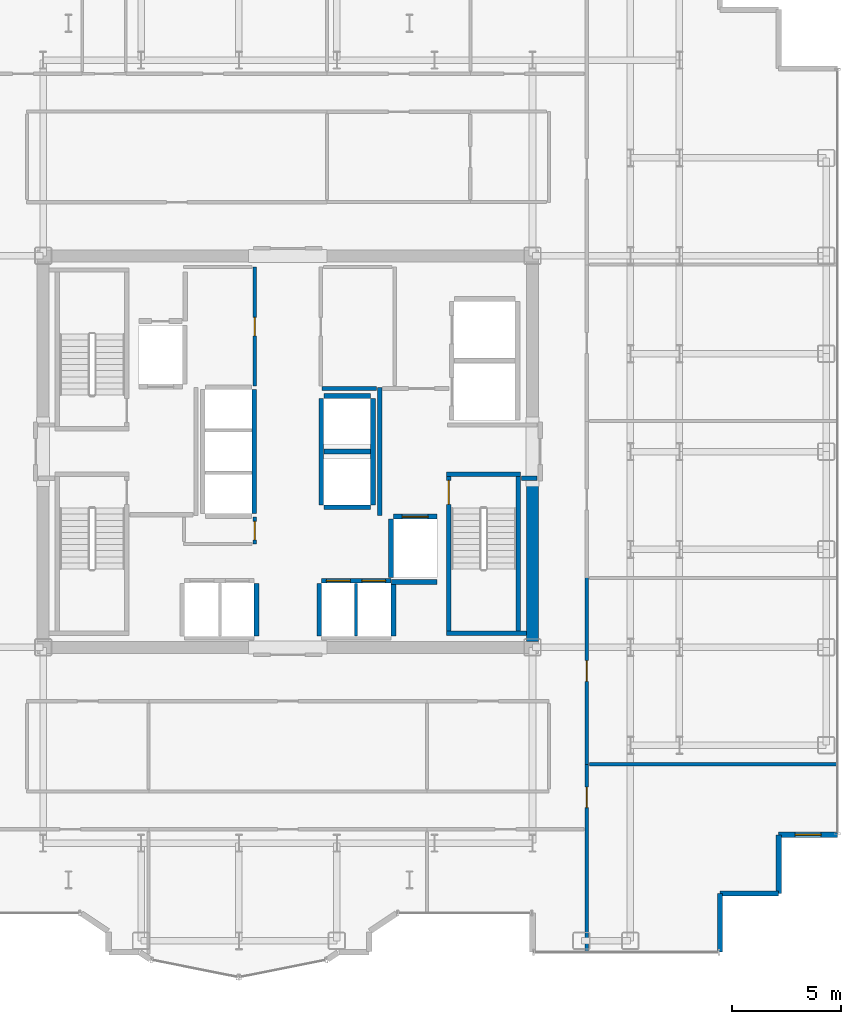
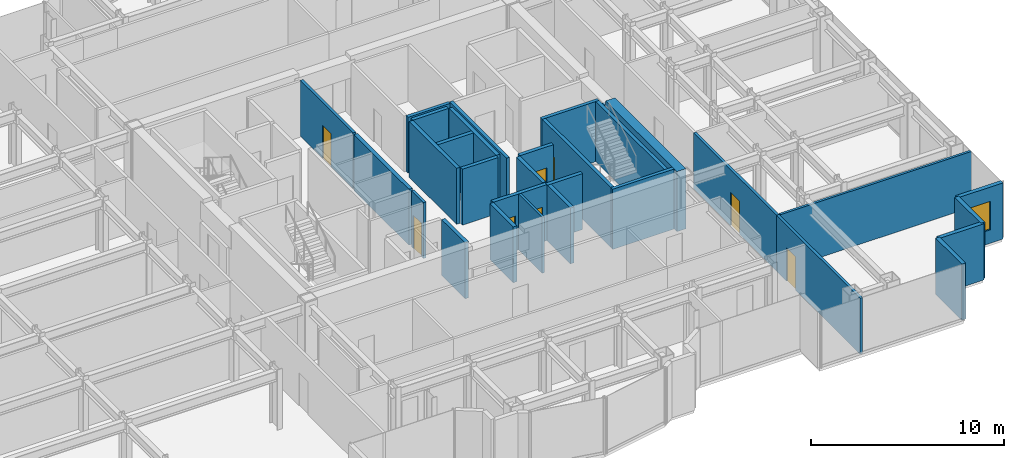
# One storey, part 19 of 23: 31 walls, 8 doors, 1 window, 9 openings.
"""IFC4 building model written with IfcOpenShell, lengths in metres."""

from ifc_helpers import new_model, si_unit, direction, frame, frame_2d, origin, place, context, subcontext, project, spatial, rectangle, extrude, source, transform, mapped, material, layer, layer_set, type_object, element, fill, save


model = new_model("IFC4")

# Units and contexts
model_context = context("Model", 3, precision=1e-05, world=origin(), true_north=direction((0.0, 1.0)))
body_context = subcontext(model_context, "Body", "Model", "MODEL_VIEW")
ifc_project = project(units=[si_unit("LENGTHUNIT", "METRE"), si_unit("AREAUNIT", "SQUARE_METRE"), si_unit("VOLUMEUNIT", "CUBIC_METRE"), si_unit("PLANEANGLEUNIT", "RADIAN"), si_unit("MASSUNIT", "GRAM", prefix="KILO")], contexts=[model_context])

# Site, building, storey
site_placement = place(None, origin())
site = spatial("IfcSite", under=ifc_project, at=site_placement, CompositionType="ELEMENT")
building_placement = place(site_placement, origin())
building = spatial("IfcBuilding", under=site, at=building_placement, Name="Nefas-Gora Pilgrimage Tower", CompositionType="ELEMENT")
storey_placement = place(building_placement, frame((0.0, 0.0, 190.60009765625)))
storey = spatial("IfcBuildingStorey", under=building, at=storey_placement, Name="L47", CompositionType="ELEMENT", Elevation=190.60009765625)

# Walls
ifc_material_1 = material(Name="Concrete C60/75", Category="concrete")
ifc_layer_1 = layer(ifc_material_1, 0.550048828125)
ifc_layer_set_1 = layer_set([ifc_layer_1], Name="Concrete C60/75")
wall_type_1 = type_object("IfcWallType", Name="SW-CORE-550", PredefinedType="SHEAR", material=ifc_layer_set_1)
shared_shape_1 = source(origin(), body_context, "Body", "SweptSolid", [
    extrude(rectangle(XDim=7.375, YDim=0.550048828125, at=frame_2d((3.6875, 0.0))), origin(), (0.0, 0.0, 1.0), 3.7998046875),
])
wall_1_placement = place(storey_placement, frame((11.25, -8.72509765625, 0.0), z_axis=(0.0, 0.0, 1.0), x_axis=(0.0, 1.0, 0.0)))
element("IfcWall", 1, at=wall_1_placement, inside=storey, type_object=wall_type_1, Name="L47 Core Shear Wall E-South", PredefinedType="SHEAR", context=body_context, shape_type="MappedRepresentation", body=[
    mapped(shared_shape_1, transform((0.0, 0.0, 0.0), x_axis=(1.0, 0.0, 0.0), y_axis=(0.0, 1.0, 0.0), z_axis=(0.0, 0.0, 1.0), scale=1.0)),
])
ifc_material_2 = material(Name="Precast concrete C45/55", Category="concrete")
ifc_layer_2 = layer(ifc_material_2, 0.239990234375)
ifc_layer_set_2 = layer_set([ifc_layer_2], Name="Precast concrete C45/55")
wall_type_2 = type_object("IfcWallType", Name="EW-SERR-240", PredefinedType="SHEAR", material=ifc_layer_set_2)
shared_shape_2 = source(origin(), body_context, "Body", "SweptSolid", [
    extrude(rectangle(XDim=2.699951171875, YDim=0.239990234375, at=frame_2d((1.35009765625, 0.0))), origin(), (0.0, 0.0, 1.0), 3.5498046875),
])
for number, where, z_axis, x_axis, name in (
    (2, (19.8701171875, -23.02001953125, 0.0), (0.0, 0.0, 1.0), (0.0, 1.0, 0.0), "L47 Serrated Corner Shear Pier Wall 2"),
    (3, (19.8701171875, -20.320068359375, 0.0), (0.0, 0.0, 1.0), (1.0, 0.0, 0.0), "L47 Serrated Corner Shear Pier Wall 3"),
    (4, (22.570068359375, -20.320068359375, 0.0), (0.0, 0.0, 1.0), (0.0, 1.0, 0.0), "L47 Serrated Corner Shear Pier Wall 4"),
):
    element("IfcWall", number, at=place(storey_placement, frame(where, z_axis=z_axis, x_axis=x_axis)), inside=storey, type_object=wall_type_2, Name=name, PredefinedType="SHEAR", context=body_context, shape_type="MappedRepresentation", body=[
        mapped(shared_shape_2, transform((0.0, 0.0, 0.0), x_axis=(1.0, 0.0, 0.0), y_axis=(0.0, 1.0, 0.0), z_axis=(0.0, 0.0, 1.0), scale=1.0)),
    ])

# Wall, opening, window
wall_2_placement = place(storey_placement, frame((22.570068359375, -17.6201171875, 0.0), z_axis=(0.0, 0.0, 1.0), x_axis=(1.0, 0.0, 0.0)))
wall_2 = element("IfcWall", 5, at=wall_2_placement, inside=storey, type_object=wall_type_2, Name="L47 Serrated Corner Shear Pier Wall 5", PredefinedType="SHEAR", context=body_context, shape_type="MappedRepresentation", body=[
    mapped(shared_shape_2, transform((0.0, 0.0, 0.0), x_axis=(1.0, 0.0, 0.0), y_axis=(0.0, 1.0, 0.0), z_axis=(0.0, 0.0, 1.0), scale=1.0)),
])
opening_1_placement = place(wall_2_placement, frame((0.75, 0.0, 0.85009765625)))
opening_1 = element("IfcOpeningElement", 6, at=opening_1_placement, cuts=wall_2, Name="Opening W-V1", PredefinedType="OPENING", context=body_context, shape_type="SweptSolid", body=[
    extrude(rectangle(XDim=1.199951171875, YDim=1.800048828125, at=frame_2d((0.60009765625, 0.89990234375))), frame((0.0, 0.1298828125, 0.0), z_axis=(0.0, -1.0, 0.0), x_axis=(1.0, 0.0, 0.0)), (0.0, 0.0, 1.0), 0.260009765625),
])
ifc_material_3 = material(Name="Dark ceramic-fritted operable aluminium-glass window", Category="aluminium")
window_type = type_object("IfcWindowType", Name="WIN-VENT-1200x1800", PartitioningType="SINGLE_PANEL", PredefinedType="WINDOW", material=ifc_material_3)
shared_shape_3 = source(origin(), body_context, "Body", "SweptSolid", [
    extrude(rectangle(XDim=1.199951171875, YDim=1.800048828125, at=frame_2d((0.60009765625, 0.89990234375))), frame((0.0, 0.030029296875, 0.0), z_axis=(0.0, -1.0, 0.0), x_axis=(1.0, 0.0, 0.0)), (0.0, 0.0, 1.0), 0.06005859375),
])
window_placement = place(opening_1_placement, origin())
window = element("IfcWindow", 7, at=window_placement, inside=storey, type_object=window_type, Name="L47 Operable Parallel-Outswing Window 5", OverallHeight=1.800048828125, OverallWidth=1.199951171875, PartitioningType="SINGLE_PANEL", PredefinedType="WINDOW", context=body_context, shape_type="MappedRepresentation", body=[
    mapped(shared_shape_3, transform((0.0, 0.0, 0.0), x_axis=(1.0, 0.0, 0.0), y_axis=(0.0, 1.0, 0.0), z_axis=(0.0, 0.0, 1.0), scale=1.0)),
])
fill(opening_1, window)

# Wall
ifc_material_4 = material(Name="Concrete C45/55", Category="concrete")
ifc_layer_3 = layer(ifc_material_4, 0.199951171875)
ifc_layer_set_3 = layer_set([ifc_layer_3], Name="Concrete C45/55")
wall_type_3 = type_object("IfcWallType", Name="IW-STAIR-200", PredefinedType="SOLIDWALL", material=ifc_layer_set_3)
shared_shape_4 = source(origin(), body_context, "Body", "SweptSolid", [
    extrude(rectangle(XDim=3.39990234375, YDim=0.199951171875, at=frame_2d((1.699951171875, 0.0))), origin(), (0.0, 0.0, 1.0), 3.7998046875),
])
wall_3_placement = place(storey_placement, frame((7.300048828125, -1.050048828125, 0.0), z_axis=(0.0, 0.0, 1.0), x_axis=(1.0, 0.0, 0.0)))
element("IfcWall", 8, at=wall_3_placement, inside=storey, type_object=wall_type_3, Name="L47 Stairwell Shear Wall ST-02-near", PredefinedType="SOLIDWALL", context=body_context, shape_type="MappedRepresentation", body=[
    mapped(shared_shape_4, transform((0.0, 0.0, 0.0), x_axis=(1.0, 0.0, 0.0), y_axis=(0.0, 1.0, 0.0), z_axis=(0.0, 0.0, 1.0), scale=1.0)),
])

# Wall, opening, door
shared_shape_5 = source(origin(), body_context, "Body", "SweptSolid", [
    extrude(rectangle(XDim=7.10009765625, YDim=0.199951171875, at=frame_2d((3.550048828125, 0.0))), origin(), (0.0, 0.0, 1.0), 3.7998046875),
])
wall_4_placement = place(storey_placement, frame((7.39990234375, -1.14990234375, 0.0), z_axis=(0.0, 0.0, 1.0), x_axis=(0.0, -1.0, 0.0)))
wall_4 = element("IfcWall", 9, at=wall_4_placement, inside=storey, type_object=wall_type_3, Name="L47 Stairwell Shear Wall ST-02-left", PredefinedType="SOLIDWALL", context=body_context, shape_type="MappedRepresentation", body=[
    mapped(shared_shape_5, transform((0.0, 0.0, 0.0), x_axis=(1.0, 0.0, 0.0), y_axis=(0.0, 1.0, 0.0), z_axis=(0.0, 0.0, 1.0), scale=1.0)),
])
opening_2_placement = place(wall_4_placement, frame((0.179931640625, 0.0, 0.0)))
opening_2 = element("IfcOpeningElement", 10, at=opening_2_placement, cuts=wall_4, Name="Opening ID-ST1", PredefinedType="OPENING", context=body_context, shape_type="SweptSolid", body=[
    extrude(rectangle(XDim=1.10009765625, YDim=2.14990234375, at=frame_2d((0.550048828125, 1.074951171875))), frame((0.0, 0.10986328125, 0.0), z_axis=(0.0, -1.0, 0.0), x_axis=(1.0, 0.0, 0.0)), (0.0, 0.0, 1.0), 0.219970703125),
])
ifc_material_5 = material(Name="Painted galvanised steel fire stair door", Category="steel")
door_type_1 = type_object("IfcDoorType", Name="DR-INT-STAIR-1100", OperationType="NOTDEFINED", PredefinedType="DOOR", material=ifc_material_5)
shared_shape_6 = source(origin(), body_context, "Body", "SweptSolid", [
    extrude(rectangle(XDim=1.10009765625, YDim=2.14990234375, at=frame_2d((0.550048828125, 1.074951171875))), frame((0.0, 0.02490234375, 0.0), z_axis=(0.0, -1.0, 0.0), x_axis=(1.0, 0.0, 0.0)), (0.0, 0.0, 1.0), 0.050048828125),
])
door_1_placement = place(opening_2_placement, origin())
door_1 = element("IfcDoor", 11, at=door_1_placement, inside=storey, type_object=door_type_1, Name="L47 Protected Exit Stair Door ST-02", OperationType="SINGLE_SWING_RIGHT", OverallHeight=2.14990234375, OverallWidth=1.10009765625, PredefinedType="DOOR", context=body_context, shape_type="MappedRepresentation", body=[
    mapped(shared_shape_6, transform((0.0, 0.0, 0.0), x_axis=(1.0, 0.0, 0.0), y_axis=(0.0, 1.0, 0.0), z_axis=(0.0, 0.0, 1.0), scale=1.0)),
])
fill(opening_2, door_1)

# Walls
wall_5_placement = place(storey_placement, frame((10.60009765625, -1.14990234375, 0.0), z_axis=(0.0, 0.0, 1.0), x_axis=(0.0, -1.0, 0.0)))
element("IfcWall", 12, at=wall_5_placement, inside=storey, type_object=wall_type_3, Name="L47 Stairwell Shear Wall ST-02-right", PredefinedType="SOLIDWALL", context=body_context, shape_type="MappedRepresentation", body=[
    mapped(shared_shape_5, transform((0.0, 0.0, 0.0), x_axis=(1.0, 0.0, 0.0), y_axis=(0.0, 1.0, 0.0), z_axis=(0.0, 0.0, 1.0), scale=1.0)),
])
shared_shape_7 = source(origin(), body_context, "Body", "SweptSolid", [
    extrude(rectangle(XDim=3.679931640625, YDim=0.199951171875, at=frame_2d((1.83984375, 0.0))), origin(), (0.0, 0.0, 1.0), 3.7998046875),
])
wall_6_placement = place(storey_placement, frame((7.300048828125, -8.35009765625, 0.0), z_axis=(0.0, 0.0, 1.0), x_axis=(1.0, 0.0, 0.0)))
element("IfcWall", 13, at=wall_6_placement, inside=storey, type_object=wall_type_3, Name="L47 Stairwell Shear Wall ST-02-far", PredefinedType="SOLIDWALL", context=body_context, shape_type="MappedRepresentation", body=[
    mapped(shared_shape_7, transform((0.0, 0.0, 0.0), x_axis=(1.0, 0.0, 0.0), y_axis=(0.0, 1.0, 0.0), z_axis=(0.0, 0.0, 1.0), scale=1.0)),
])

# Wall, opening, door
ifc_material_6 = material(Name="Concrete C40/50", Category="concrete")
ifc_layer_4 = layer(ifc_material_6, 0.219970703125)
ifc_layer_set_4 = layer_set([ifc_layer_4], Name="Concrete C40/50")
wall_type_4 = type_object("IfcWallType", Name="IW-SHAFT-220", PredefinedType="SOLIDWALL", material=ifc_layer_set_4)
shared_shape_8 = source(origin(), body_context, "Body", "SweptSolid", [
    extrude(rectangle(XDim=2.0, YDim=0.219970703125, at=frame_2d((1.0, 0.0))), origin(), (0.0, 0.0, 1.0), 3.534912109375),
])
wall_7_placement = place(storey_placement, frame((6.85009765625, -2.989990234375, 0.0), z_axis=(0.0, 0.0, 1.0), x_axis=(-1.0, 0.0, 0.0)))
wall_7 = element("IfcWall", 14, at=wall_7_placement, inside=storey, type_object=wall_type_4, Name="L47 Hoistway Wall FFL-02-N", PredefinedType="SOLIDWALL", context=body_context, shape_type="MappedRepresentation", body=[
    mapped(shared_shape_8, transform((0.0, 0.0, 0.0), x_axis=(1.0, 0.0, 0.0), y_axis=(0.0, 1.0, 0.0), z_axis=(0.0, 0.0, 1.0), scale=1.0)),
])
opening_3_placement = place(wall_7_placement, frame((0.39990234375, 0.0, 0.0)))
opening_3 = element("IfcOpeningElement", 15, at=opening_3_placement, cuts=wall_7, Name="Opening LD-FF", PredefinedType="OPENING", context=body_context, shape_type="SweptSolid", body=[
    extrude(rectangle(XDim=1.199951171875, YDim=2.199951171875, at=frame_2d((0.60009765625, 1.10009765625))), frame((0.0, 0.119873046875, 0.0), z_axis=(0.0, -1.0, 0.0), x_axis=(1.0, 0.0, 0.0)), (0.0, 0.0, 1.0), 0.239990234375),
])
ifc_material_7 = material(Name="Fire-service sliding lift landing door")
door_type_2 = type_object("IfcDoorType", Name="DR-LIFT-FSAE-1200", OperationType="SLIDING_TO_LEFT", PredefinedType="DOOR", material=ifc_material_7)
shared_shape_9 = source(origin(), body_context, "Body", "SweptSolid", [
    extrude(rectangle(XDim=1.199951171875, YDim=2.199951171875, at=frame_2d((0.60009765625, 1.10009765625))), frame((0.0, 0.02490234375, 0.0), z_axis=(0.0, -1.0, 0.0), x_axis=(1.0, 0.0, 0.0)), (0.0, 0.0, 1.0), 0.050048828125),
])
door_2_placement = place(opening_3_placement, origin())
door_2 = element("IfcDoor", 16, at=door_2_placement, inside=storey, type_object=door_type_2, Name="L47 Sliding Lift Landing Door FFL-02", OperationType="SLIDING_TO_LEFT", OverallHeight=2.199951171875, OverallWidth=1.199951171875, PredefinedType="DOOR", context=body_context, shape_type="MappedRepresentation", body=[
    mapped(shared_shape_9, transform((0.0, 0.0, 0.0), x_axis=(1.0, 0.0, 0.0), y_axis=(0.0, 1.0, 0.0), z_axis=(0.0, 0.0, 1.0), scale=1.0)),
])
fill(opening_3, door_2)

# Wall
shared_shape_10 = source(origin(), body_context, "Body", "SweptSolid", [
    extrude(rectangle(XDim=2.679931640625, YDim=0.219970703125, at=frame_2d((1.33984375, 0.0))), origin(), (0.0, 0.0, 1.0), 3.534912109375),
])
wall_8_placement = place(storey_placement, frame((4.739990234375, -3.110107421875, 0.0), z_axis=(0.0, 0.0, 1.0), x_axis=(0.0, -1.0, 0.0)))
element("IfcWall", 17, at=wall_8_placement, inside=storey, type_object=wall_type_4, Name="L47 Hoistway Wall FFL-02-W", PredefinedType="SOLIDWALL", context=body_context, shape_type="MappedRepresentation", body=[
    mapped(shared_shape_10, transform((0.0, 0.0, 0.0), x_axis=(1.0, 0.0, 0.0), y_axis=(0.0, 1.0, 0.0), z_axis=(0.0, 0.0, 1.0), scale=1.0)),
])

# Wall, openings, doors
shared_shape_11 = source(origin(), body_context, "Body", "SweptSolid", [
    extrude(rectangle(XDim=3.199951171875, YDim=0.219970703125, at=frame_2d((1.60009765625, 0.0))), origin(), (0.0, 0.0, 1.0), 3.534912109375),
])
wall_9_placement = place(storey_placement, frame((4.75, -5.93994140625, 0.0), z_axis=(0.0, 0.0, 1.0), x_axis=(-1.0, 0.0, 0.0)))
wall_9 = element("IfcWall", 18, at=wall_9_placement, inside=storey, type_object=wall_type_4, Name="L47 Hoistway Wall PL2-E-N", PredefinedType="SOLIDWALL", context=body_context, shape_type="MappedRepresentation", body=[
    mapped(shared_shape_11, transform((0.0, 0.0, 0.0), x_axis=(1.0, 0.0, 0.0), y_axis=(0.0, 1.0, 0.0), z_axis=(0.0, 0.0, 1.0), scale=1.0)),
])
opening_4_placement = place(wall_9_placement, frame((1.875, 0.0, 0.0)))
opening_4 = element("IfcOpeningElement", 19, at=opening_4_placement, cuts=wall_9, Name="Opening LD-01", PredefinedType="OPENING", context=body_context, shape_type="SweptSolid", body=[
    extrude(rectangle(XDim=1.10009765625, YDim=2.199951171875, at=frame_2d((0.550048828125, 1.10009765625))), frame((0.0, 0.119873046875, 0.0), z_axis=(0.0, -1.0, 0.0), x_axis=(1.0, 0.0, 0.0)), (0.0, 0.0, 1.0), 0.239990234375),
])
opening_5_placement = place(wall_9_placement, frame((0.25, 0.0, 0.0)))
opening_5 = element("IfcOpeningElement", 20, at=opening_5_placement, cuts=wall_9, Name="Opening LD-01", PredefinedType="OPENING", context=body_context, shape_type="SweptSolid", body=[
    extrude(rectangle(XDim=1.10009765625, YDim=2.199951171875, at=frame_2d((0.550048828125, 1.10009765625))), frame((0.0, 0.119873046875, 0.0), z_axis=(0.0, -1.0, 0.0), x_axis=(1.0, 0.0, 0.0)), (0.0, 0.0, 1.0), 0.239990234375),
])
ifc_material_8 = material(Name="Brushed stainless sliding lift landing door")
door_type_3 = type_object("IfcDoorType", Name="DR-LIFT-PASS-1100", OperationType="DOUBLE_DOOR_SLIDING", PredefinedType="DOOR", material=ifc_material_8)
shared_shape_12 = source(origin(), body_context, "Body", "SweptSolid", [
    extrude(rectangle(XDim=1.10009765625, YDim=2.199951171875, at=frame_2d((0.550048828125, 1.10009765625))), frame((0.0, 0.02490234375, 0.0), z_axis=(0.0, -1.0, 0.0), x_axis=(1.0, 0.0, 0.0)), (0.0, 0.0, 1.0), 0.050048828125),
])
door_3_placement = place(opening_4_placement, origin())
door_3 = element("IfcDoor", 21, at=door_3_placement, inside=storey, type_object=door_type_3, Name="L47 Sliding Lift Landing Door PL2-03", OperationType="DOUBLE_DOOR_SLIDING", OverallHeight=2.199951171875, OverallWidth=1.10009765625, PredefinedType="DOOR", context=body_context, shape_type="MappedRepresentation", body=[
    mapped(shared_shape_12, transform((0.0, 0.0, 0.0), x_axis=(1.0, 0.0, 0.0), y_axis=(0.0, 1.0, 0.0), z_axis=(0.0, 0.0, 1.0), scale=1.0)),
])
fill(opening_4, door_3)
door_4_placement = place(opening_5_placement, origin())
door_4 = element("IfcDoor", 22, at=door_4_placement, inside=storey, type_object=door_type_3, Name="L47 Sliding Lift Landing Door PL2-04", OperationType="DOUBLE_DOOR_SLIDING", OverallHeight=2.199951171875, OverallWidth=1.10009765625, PredefinedType="DOOR", context=body_context, shape_type="MappedRepresentation", body=[
    mapped(shared_shape_12, transform((0.0, 0.0, 0.0), x_axis=(1.0, 0.0, 0.0), y_axis=(0.0, 1.0, 0.0), z_axis=(0.0, 0.0, 1.0), scale=1.0)),
])
fill(opening_5, door_4)

# Walls
shared_shape_13 = source(origin(), body_context, "Body", "SweptSolid", [
    extrude(rectangle(XDim=2.429931640625, YDim=0.219970703125, at=frame_2d((1.21484375, 0.0))), origin(), (0.0, 0.0, 1.0), 3.534912109375),
])
for number, where, z_axis, x_axis, name in (
    (23, (-1.43994140625, -8.489990234375, 0.0), (0.0, 0.0, 1.0), (0.0, 1.0, 0.0), "L47 Hoistway Wall PL2-W-E"),
    (24, (1.43994140625, -6.06005859375, 0.0), (0.0, 0.0, 1.0), (0.0, -1.0, 0.0), "L47 Hoistway Wall PL2-E-W"),
    (25, (4.860107421875, -8.489990234375, 0.0), (0.0, 0.0, 1.0), (0.0, 1.0, 0.0), "L47 Hoistway Wall PL2-E-E"),
):
    element("IfcWall", number, at=place(storey_placement, frame(where, z_axis=z_axis, x_axis=x_axis)), inside=storey, type_object=wall_type_4, Name=name, PredefinedType="SOLIDWALL", context=body_context, shape_type="MappedRepresentation", body=[
        mapped(shared_shape_13, transform((0.0, 0.0, 0.0), x_axis=(1.0, 0.0, 0.0), y_axis=(0.0, 1.0, 0.0), z_axis=(0.0, 0.0, 1.0), scale=1.0)),
    ])
ifc_material_9 = material(Name="Gypsum twin-stud partition")
ifc_layer_5 = layer(ifc_material_9, 0.139892578125)
ifc_layer_set_5 = layer_set([ifc_layer_5], Name="Gypsum twin-stud partition")
wall_type_5 = type_object("IfcWallType", Name="IW-UNIT-140", PredefinedType="PARTITIONING", material=ifc_layer_set_5)
shared_shape_14 = source(origin(), body_context, "Body", "SweptSolid", [
    extrude(rectangle(XDim=2.429931640625, YDim=0.139892578125, at=frame_2d((1.21484375, 0.0))), origin(), (0.0, 0.0, 1.0), 3.534912109375),
])
wall_10_placement = place(storey_placement, frame((3.125, -8.489990234375, 0.0), z_axis=(0.0, 0.0, 1.0), x_axis=(0.0, 1.0, 0.0)))
element("IfcWall", 26, at=wall_10_placement, inside=storey, type_object=wall_type_5, Name="L47 Hoistway Wall PL2-E-DIV", PredefinedType="PARTITIONING", context=body_context, shape_type="MappedRepresentation", body=[
    mapped(shared_shape_14, transform((0.0, 0.0, 0.0), x_axis=(1.0, 0.0, 0.0), y_axis=(0.0, 1.0, 0.0), z_axis=(0.0, 0.0, 1.0), scale=1.0)),
])
shared_shape_15 = source(origin(), body_context, "Body", "SweptSolid", [
    extrude(rectangle(XDim=5.7001953125, YDim=0.219970703125, at=frame_2d((2.85009765625, 0.0))), origin(), (0.0, 0.0, 1.0), 3.534912109375),
])
wall_11_placement = place(storey_placement, frame((-1.5400390625, -2.85009765625, 0.0), z_axis=(0.0, 0.0, 1.0), x_axis=(0.0, 1.0, 0.0)))
element("IfcWall", 27, at=wall_11_placement, inside=storey, type_object=wall_type_4, Name="L47 Hoistway Wall PL3-01-03-E", PredefinedType="SOLIDWALL", context=body_context, shape_type="MappedRepresentation", body=[
    mapped(shared_shape_15, transform((0.0, 0.0, 0.0), x_axis=(1.0, 0.0, 0.0), y_axis=(0.0, 1.0, 0.0), z_axis=(0.0, 0.0, 1.0), scale=1.0)),
])
shared_shape_16 = source(origin(), body_context, "Body", "SweptSolid", [
    extrude(rectangle(XDim=2.130126953125, YDim=0.219970703125, at=frame_2d((1.06494140625, 0.0))), origin(), (0.0, 0.0, 1.0), 3.534912109375),
])
for number, where, z_axis, x_axis, name in (
    (28, (1.659912109375, -2.56005859375, 0.0), (0.0, 0.0, 1.0), (1.0, 0.0, 0.0), "L47 Hoistway Wall OBS-01-S"),
    (29, (1.659912109375, 0.0, 0.0), (0.0, 0.0, 1.0), (1.0, 0.0, 0.0), "L47 Hoistway Wall OBS-01-02-DIV"),
    (30, (3.7900390625, 2.56005859375, 0.0), (0.0, 0.0, 1.0), (-1.0, 0.0, 0.0), "L47 Hoistway Wall OBS-02-N"),
):
    element("IfcWall", number, at=place(storey_placement, frame(where, z_axis=z_axis, x_axis=x_axis)), inside=storey, type_object=wall_type_4, Name=name, PredefinedType="SOLIDWALL", context=body_context, shape_type="MappedRepresentation", body=[
        mapped(shared_shape_16, transform((0.0, 0.0, 0.0), x_axis=(1.0, 0.0, 0.0), y_axis=(0.0, 1.0, 0.0), z_axis=(0.0, 0.0, 1.0), scale=1.0)),
    ])
shared_shape_17 = source(origin(), body_context, "Body", "SweptSolid", [
    extrude(rectangle(XDim=4.89990234375, YDim=0.219970703125, at=frame_2d((2.449951171875, 0.0))), origin(), (0.0, 0.0, 1.0), 3.534912109375),
])
for number, where, z_axis, x_axis, name in (
    (31, (1.5400390625, 2.449951171875, 0.0), (0.0, 0.0, 1.0), (0.0, -1.0, 0.0), "L47 Hoistway Wall OBS-01-02-W"),
    (32, (3.909912109375, -2.449951171875, 0.0), (0.0, 0.0, 1.0), (0.0, 1.0, 0.0), "L47 Hoistway Wall OBS-01-02-E"),
):
    element("IfcWall", number, at=place(storey_placement, frame(where, z_axis=z_axis, x_axis=x_axis)), inside=storey, type_object=wall_type_4, Name=name, PredefinedType="SOLIDWALL", context=body_context, shape_type="MappedRepresentation", body=[
        mapped(shared_shape_17, transform((0.0, 0.0, 0.0), x_axis=(1.0, 0.0, 0.0), y_axis=(0.0, 1.0, 0.0), z_axis=(0.0, 0.0, 1.0), scale=1.0)),
    ])
shared_shape_18 = source(origin(), body_context, "Body", "SweptSolid", [
    extrude(rectangle(XDim=2.09521484375, YDim=0.219970703125, at=frame_2d((1.047607421875, 0.0))), origin(), (0.0, 0.0, 1.0), 3.534912109375),
])
wall_12_placement = place(storey_placement, frame((4.7548828125, -6.0, 0.0), z_axis=(0.0, 0.0, 1.0), x_axis=(1.0, 0.0, 0.0)))
element("IfcWall", 33, at=wall_12_placement, inside=storey, type_object=wall_type_4, Name="L47 Riser Shaft Wall 3", PredefinedType="SOLIDWALL", context=body_context, shape_type="MappedRepresentation", body=[
    mapped(shared_shape_18, transform((0.0, 0.0, 0.0), x_axis=(1.0, 0.0, 0.0), y_axis=(0.0, 1.0, 0.0), z_axis=(0.0, 0.0, 1.0), scale=1.0)),
])
ifc_material_10 = material(Name="Gypsum fire-rated shaftwall")
ifc_layer_6 = layer(ifc_material_10, 0.199951171875)
ifc_layer_set_6 = layer_set([ifc_layer_6], Name="Gypsum fire-rated shaftwall")
wall_type_6 = type_object("IfcWallType", Name="IW-FFLOB-200", PredefinedType="PARTITIONING", material=ifc_layer_set_6)
shared_shape_19 = source(origin(), body_context, "Body", "SweptSolid", [
    extrude(rectangle(XDim=5.89990234375, YDim=0.199951171875, at=frame_2d((2.949951171875, 0.0))), origin(), (0.0, 0.0, 1.0), 3.534912109375),
])
wall_13_placement = place(storey_placement, frame((4.219970703125, -2.949951171875, 0.0), z_axis=(0.0, 0.0, 1.0), x_axis=(0.0, 1.0, 0.0)))
element("IfcWall", 34, at=wall_13_placement, inside=storey, type_object=wall_type_6, Name="L47 FF Lobby East Inner Wall Wall 10", PredefinedType="PARTITIONING", context=body_context, shape_type="MappedRepresentation", body=[
    mapped(shared_shape_19, transform((0.0, 0.0, 0.0), x_axis=(1.0, 0.0, 0.0), y_axis=(0.0, 1.0, 0.0), z_axis=(0.0, 0.0, 1.0), scale=1.0)),
])
shared_shape_20 = source(origin(), body_context, "Body", "SweptSolid", [
    extrude(rectangle(XDim=0.719970703125, YDim=0.199951171875, at=frame_2d((0.35986328125, 0.0))), origin(), (0.0, 0.0, 1.0), 3.534912109375),
])
wall_14_placement = place(storey_placement, frame((10.739990234375, -1.219970703125, 0.0), z_axis=(0.0, 0.0, 1.0), x_axis=(1.0, 0.0, 0.0)))
element("IfcWall", 35, at=wall_14_placement, inside=storey, type_object=wall_type_6, Name="L47 FF Lobby East Throat S Wall 14", PredefinedType="PARTITIONING", context=body_context, shape_type="MappedRepresentation", body=[
    mapped(shared_shape_20, transform((0.0, 0.0, 0.0), x_axis=(1.0, 0.0, 0.0), y_axis=(0.0, 1.0, 0.0), z_axis=(0.0, 0.0, 1.0), scale=1.0)),
])

# Wall, opening, door
ifc_material_11 = material(Name="Gypsum acoustic stud partition")
ifc_layer_7 = layer(ifc_material_11, 0.159912109375)
ifc_layer_set_7 = layer_set([ifc_layer_7], Name="Gypsum acoustic stud partition")
wall_type_7 = type_object("IfcWallType", Name="IW-CORR-160", PredefinedType="PARTITIONING", material=ifc_layer_set_7)
shared_shape_21 = source(origin(), body_context, "Body", "SweptSolid", [
    extrude(rectangle(XDim=1.25, YDim=0.159912109375, at=frame_2d((0.625, 0.0))), origin(), (0.0, 0.0, 1.0), 3.534912109375),
])
wall_15_placement = place(storey_placement, frame((-1.52001953125, -4.260009765625, 0.0), z_axis=(0.0, 0.0, 1.0), x_axis=(0.0, 1.0, 0.0)))
wall_15 = element("IfcWall", 36, at=wall_15_placement, inside=storey, type_object=wall_type_7, Name="L47 Pilgrim Baggage and Gear Vault Wall 20", PredefinedType="PARTITIONING", context=body_context, shape_type="MappedRepresentation", body=[
    mapped(shared_shape_21, transform((0.0, 0.0, 0.0), x_axis=(1.0, 0.0, 0.0), y_axis=(0.0, 1.0, 0.0), z_axis=(0.0, 0.0, 1.0), scale=1.0)),
])
opening_6_placement = place(wall_15_placement, frame((0.199951171875, 0.0, 0.0)))
opening_6 = element("IfcOpeningElement", 37, at=opening_6_placement, cuts=wall_15, Name="Opening ID-BT1", PredefinedType="OPENING", context=body_context, shape_type="SweptSolid", body=[
    extrude(rectangle(XDim=0.85009765625, YDim=2.10009765625, at=frame_2d((0.425048828125, 1.050048828125))), frame((0.0, 0.08984375, 0.0), z_axis=(0.0, -1.0, 0.0), x_axis=(1.0, 0.0, 0.0)), (0.0, 0.0, 1.0), 0.179931640625),
])
ifc_material_12 = material(Name="Moisture-resistant fire-rated timber door", Category="wood")
door_type_4 = type_object("IfcDoorType", Name="DR-INT-BATH-850", OperationType="NOTDEFINED", PredefinedType="DOOR", material=ifc_material_12)
shared_shape_22 = source(origin(), body_context, "Body", "SweptSolid", [
    extrude(rectangle(XDim=0.85009765625, YDim=2.10009765625, at=frame_2d((0.425048828125, 1.050048828125))), frame((0.0, 0.02490234375, 0.0), z_axis=(0.0, -1.0, 0.0), x_axis=(1.0, 0.0, 0.0)), (0.0, 0.0, 1.0), 0.050048828125),
])
door_5_placement = place(opening_6_placement, origin())
door_5 = element("IfcDoor", 38, at=door_5_placement, inside=storey, type_object=door_type_4, Name="L47 Pilgrim Baggage and Gear Vault Door 8", OperationType="SINGLE_SWING_LEFT", OverallHeight=2.10009765625, OverallWidth=0.85009765625, PredefinedType="DOOR", context=body_context, shape_type="MappedRepresentation", body=[
    mapped(shared_shape_22, transform((0.0, 0.0, 0.0), x_axis=(1.0, 0.0, 0.0), y_axis=(0.0, 1.0, 0.0), z_axis=(0.0, 0.0, 1.0), scale=1.0)),
])
fill(opening_6, door_5)

# Walls
shared_shape_23 = source(origin(), body_context, "Body", "SweptSolid", [
    extrude(rectangle(XDim=11.429931640625, YDim=0.139892578125, at=frame_2d((5.71484375, 0.0))), origin(), (0.0, 0.0, 1.0), 3.534912109375),
])
wall_16_placement = place(storey_placement, frame((13.860107421875, -14.37744140625, 0.0), z_axis=(0.0, 0.0, 1.0), x_axis=(1.0, 0.0, 0.0)))
element("IfcWall", 39, at=wall_16_placement, inside=storey, type_object=wall_type_5, Name="L47 Pilgrim Contemplative Lounge Partition Wall 40", PredefinedType="PARTITIONING", context=body_context, shape_type="MappedRepresentation", body=[
    mapped(shared_shape_23, transform((0.0, 0.0, 0.0), x_axis=(1.0, 0.0, 0.0), y_axis=(0.0, 1.0, 0.0), z_axis=(0.0, 0.0, 1.0), scale=1.0)),
])
shared_shape_24 = source(origin(), body_context, "Body", "SweptSolid", [
    extrude(rectangle(XDim=2.52001953125, YDim=0.199951171875, at=frame_2d((1.260009765625, 0.0))), origin(), (0.0, 0.0, 1.0), 3.534912109375),
])
wall_17_placement = place(storey_placement, frame((1.56005859375, 2.89990234375, 0.0), z_axis=(0.0, 0.0, 1.0), x_axis=(1.0, 0.0, 0.0)))
element("IfcWall", 40, at=wall_17_placement, inside=storey, type_object=wall_type_6, Name="L47 FF Lobby East North Wall Wall 11", PredefinedType="PARTITIONING", context=body_context, shape_type="MappedRepresentation", body=[
    mapped(shared_shape_24, transform((0.0, 0.0, 0.0), x_axis=(1.0, 0.0, 0.0), y_axis=(0.0, 1.0, 0.0), z_axis=(0.0, 0.0, 1.0), scale=1.0)),
])

# Wall, opening, door
shared_shape_25 = source(origin(), body_context, "Body", "SweptSolid", [
    extrude(rectangle(XDim=5.47998046875, YDim=0.159912109375, at=frame_2d((2.739990234375, 0.0))), origin(), (0.0, 0.0, 1.0), 3.534912109375),
])
wall_18_placement = place(storey_placement, frame((-1.52001953125, 3.010009765625, 0.0), z_axis=(0.0, 0.0, 1.0), x_axis=(0.0, 1.0, 0.0)))
wall_18 = element("IfcWall", 41, at=wall_18_placement, inside=storey, type_object=wall_type_7, Name="L47 Housekeeping and Linen Store Wall 18", PredefinedType="PARTITIONING", context=body_context, shape_type="MappedRepresentation", body=[
    mapped(shared_shape_25, transform((0.0, 0.0, 0.0), x_axis=(1.0, 0.0, 0.0), y_axis=(0.0, 1.0, 0.0), z_axis=(0.0, 0.0, 1.0), scale=1.0)),
])
opening_7_placement = place(wall_18_placement, frame((2.31494140625, 0.0, 0.0)))
opening_7 = element("IfcOpeningElement", 42, at=opening_7_placement, cuts=wall_18, Name="Opening ID-BT1", PredefinedType="OPENING", context=body_context, shape_type="SweptSolid", body=[
    extrude(rectangle(XDim=0.85009765625, YDim=2.10009765625, at=frame_2d((0.425048828125, 1.050048828125))), frame((0.0, 0.08984375, 0.0), z_axis=(0.0, -1.0, 0.0), x_axis=(1.0, 0.0, 0.0)), (0.0, 0.0, 1.0), 0.179931640625),
])
door_6_placement = place(opening_7_placement, origin())
door_6 = element("IfcDoor", 43, at=door_6_placement, inside=storey, type_object=door_type_4, Name="L47 Housekeeping and Linen Store Door 7", OperationType="SINGLE_SWING_RIGHT", OverallHeight=2.10009765625, OverallWidth=0.85009765625, PredefinedType="DOOR", context=body_context, shape_type="MappedRepresentation", body=[
    mapped(shared_shape_22, transform((0.0, 0.0, 0.0), x_axis=(1.0, 0.0, 0.0), y_axis=(0.0, 1.0, 0.0), z_axis=(0.0, 0.0, 1.0), scale=1.0)),
])
fill(opening_7, door_6)

shared_shape_26 = source(origin(), body_context, "Body", "SweptSolid", [
    extrude(rectangle(XDim=8.652587890625, YDim=0.159912109375, at=frame_2d((4.326171875, 0.0))), origin(), (0.0, 0.0, 1.0), 3.534912109375),
])
wall_19_placement = place(storey_placement, frame((13.739990234375, -23.0400390625, 0.0), z_axis=(0.0, 0.0, 1.0), x_axis=(0.0, 1.0, 0.0)))
wall_19 = element("IfcWall", 44, at=wall_19_placement, inside=storey, type_object=wall_type_7, Name="L47 Pilgrim Contemplative Lounge Partition Wall 42", PredefinedType="PARTITIONING", context=body_context, shape_type="MappedRepresentation", body=[
    mapped(shared_shape_26, transform((0.0, 0.0, 0.0), x_axis=(1.0, 0.0, 0.0), y_axis=(0.0, 1.0, 0.0), z_axis=(0.0, 0.0, 1.0), scale=1.0)),
])
opening_8_placement = place(wall_19_placement, frame((6.666259765625, 0.0, 0.0)))
opening_8 = element("IfcOpeningElement", 45, at=opening_8_placement, cuts=wall_19, Name="Opening ID-GR1", PredefinedType="OPENING", context=body_context, shape_type="SweptSolid", body=[
    extrude(rectangle(XDim=0.949951171875, YDim=2.10009765625, at=frame_2d((0.47509765625, 1.050048828125))), frame((0.0, 0.08984375, 0.0), z_axis=(0.0, -1.0, 0.0), x_axis=(1.0, 0.0, 0.0)), (0.0, 0.0, 1.0), 0.179931640625),
])
ifc_material_13 = material(Name="Solid core oak fire-rated guest entrance door")
door_type_5 = type_object("IfcDoorType", Name="DR-INT-GUEST-950", OperationType="NOTDEFINED", PredefinedType="DOOR", material=ifc_material_13)
shared_shape_27 = source(origin(), body_context, "Body", "SweptSolid", [
    extrude(rectangle(XDim=0.949951171875, YDim=2.10009765625, at=frame_2d((0.47509765625, 1.050048828125))), frame((0.0, 0.02490234375, 0.0), z_axis=(0.0, -1.0, 0.0), x_axis=(1.0, 0.0, 0.0)), (0.0, 0.0, 1.0), 0.050048828125),
])
door_7_placement = place(opening_8_placement, origin())
door_7 = element("IfcDoor", 46, at=door_7_placement, inside=storey, type_object=door_type_5, Name="L47 Pilgrim Contemplative Lounge Door 18", OperationType="SINGLE_SWING_LEFT", OverallHeight=2.10009765625, OverallWidth=0.949951171875, PredefinedType="DOOR", context=body_context, shape_type="MappedRepresentation", body=[
    mapped(shared_shape_27, transform((0.0, 0.0, 0.0), x_axis=(1.0, 0.0, 0.0), y_axis=(0.0, 1.0, 0.0), z_axis=(0.0, 0.0, 1.0), scale=1.0)),
])
fill(opening_8, door_7)

shared_shape_28 = source(origin(), body_context, "Body", "SweptSolid", [
    extrude(rectangle(XDim=8.592529296875, YDim=0.159912109375, at=frame_2d((4.29638671875, 0.0))), origin(), (0.0, 0.0, 1.0), 3.534912109375),
])
wall_20_placement = place(storey_placement, frame((13.739990234375, -14.387451171875, 0.0), z_axis=(0.0, 0.0, 1.0), x_axis=(0.0, 1.0, 0.0)))
wall_20 = element("IfcWall", 47, at=wall_20_placement, inside=storey, type_object=wall_type_7, Name="L47 Pilgrim Contemplative Lounge Partition Wall 39", PredefinedType="PARTITIONING", context=body_context, shape_type="MappedRepresentation", body=[
    mapped(shared_shape_28, transform((0.0, 0.0, 0.0), x_axis=(1.0, 0.0, 0.0), y_axis=(0.0, 1.0, 0.0), z_axis=(0.0, 0.0, 1.0), scale=1.0)),
])
opening_9_placement = place(wall_20_placement, frame((3.8212890625, 0.0, 0.0)))
opening_9 = element("IfcOpeningElement", 48, at=opening_9_placement, cuts=wall_20, Name="Opening ID-GR1", PredefinedType="OPENING", context=body_context, shape_type="SweptSolid", body=[
    extrude(rectangle(XDim=0.949951171875, YDim=2.10009765625, at=frame_2d((0.47509765625, 1.050048828125))), frame((0.0, 0.08984375, 0.0), z_axis=(0.0, -1.0, 0.0), x_axis=(1.0, 0.0, 0.0)), (0.0, 0.0, 1.0), 0.179931640625),
])
door_8_placement = place(opening_9_placement, origin())
door_8 = element("IfcDoor", 49, at=door_8_placement, inside=storey, type_object=door_type_5, Name="L47 Pilgrim Contemplative Lounge Door 17", OperationType="SINGLE_SWING_RIGHT", OverallHeight=2.10009765625, OverallWidth=0.949951171875, PredefinedType="DOOR", context=body_context, shape_type="MappedRepresentation", body=[
    mapped(shared_shape_27, transform((0.0, 0.0, 0.0), x_axis=(1.0, 0.0, 0.0), y_axis=(0.0, 1.0, 0.0), z_axis=(0.0, 0.0, 1.0), scale=1.0)),
])
fill(opening_9, door_8)

save(model, "model.ifc")
